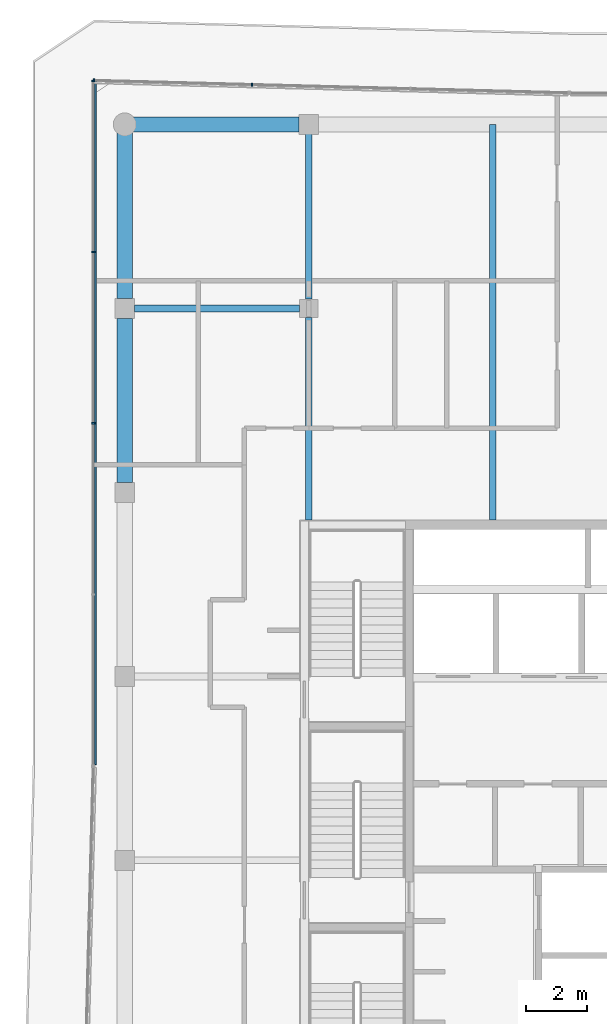
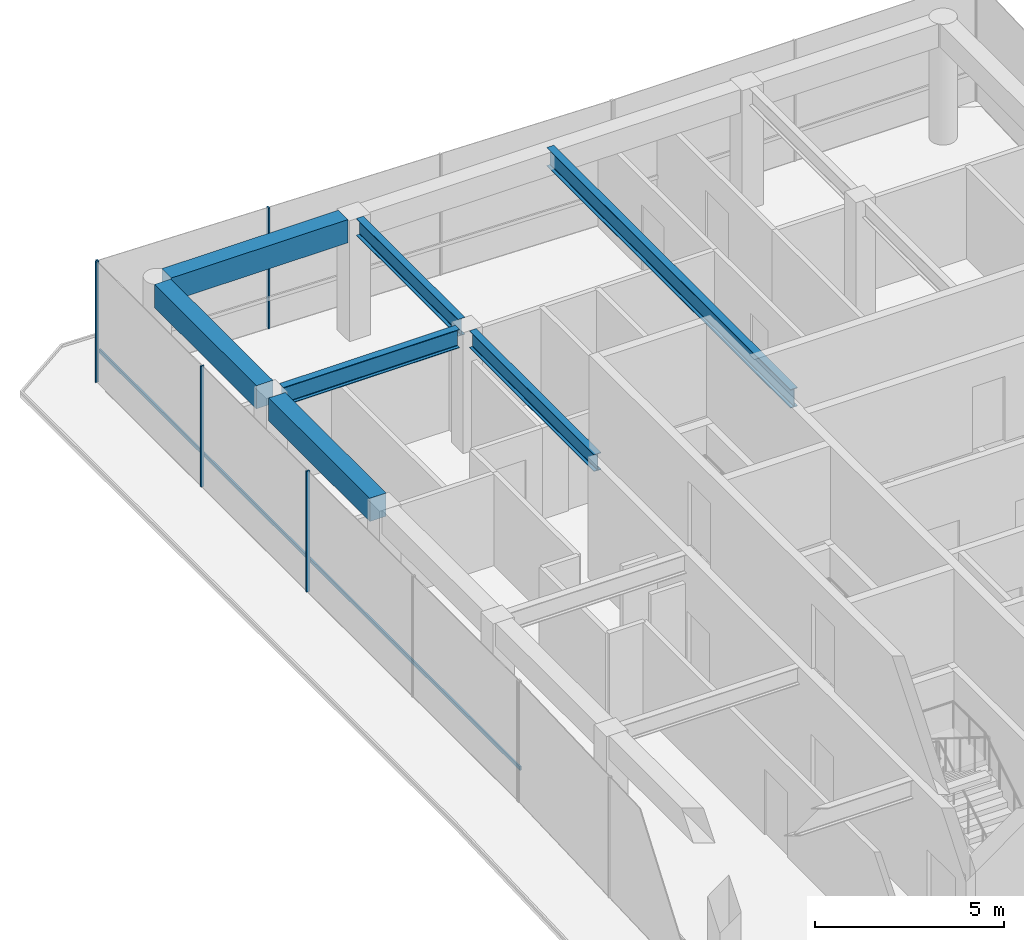
# One storey, part 7 of 15: 7 beams, 6 members, 2 elements without a shape of their own.
"""IFC4 building model written with IfcOpenShell, lengths in metres."""

from ifc_helpers import new_model, si_unit, direction, frame, origin, origin_2d, place, context, subcontext, project, spatial, rectangle, i_section, extrude, material, layer, layer_set, material_profile, profile_set, type_object, element, aggregate, save


model = new_model("IFC4")

# Units and contexts
model_context = context("Model", 3, precision=1e-05, world=origin(), true_north=direction((0.0, 1.0)))
body_context = subcontext(model_context, "Body", "Model", "MODEL_VIEW")
ifc_project = project(units=[si_unit("LENGTHUNIT", "METRE"), si_unit("AREAUNIT", "SQUARE_METRE"), si_unit("VOLUMEUNIT", "CUBIC_METRE"), si_unit("PLANEANGLEUNIT", "RADIAN"), si_unit("MASSUNIT", "GRAM", prefix="KILO")], contexts=[model_context])

# Site, building, storey
site_placement = place(None, origin())
site = spatial("IfcSite", under=ifc_project, at=site_placement, CompositionType="ELEMENT")
building_placement = place(site_placement, origin())
building = spatial("IfcBuilding", under=site, at=building_placement, Name="Welwitschia Terrace Campus", CompositionType="ELEMENT")
storey_placement = place(building_placement, frame((0.0, 0.0, 339.800048828125)))
storey = spatial("IfcBuildingStorey", under=building, at=storey_placement, Name="L76", CompositionType="ELEMENT", Elevation=339.800048828125)

# Beams
ifc_material_1 = material(Name="Steel S355", Category="steel")
ifc_material_profile_1 = material_profile(ifc_material_1, i_section(OverallWidth=0.2099609375, OverallDepth=0.550048828125, WebThickness=0.010986328125, FlangeThickness=0.01708984375, FilletRadius=0.02392578125, at=origin_2d()))
ifc_profile_set_1 = profile_set([ifc_material_profile_1], Name="Steel S355")
beam_type_1 = type_object("IfcBeamType", Name="Interior girder IPE 550", PredefinedType="BEAM", material=ifc_profile_set_1)
beam_1_placement = place(storey_placement, frame((6.0, 25.10107421875, 3.625), z_axis=(0.0, 1.0, 0.0), x_axis=(-1.0, 0.0, 0.0)))
element("IfcBeam", 1, at=beam_1_placement, inside=storey, type_object=beam_type_1, Name="Girder GB7", PredefinedType="BEAM", context=body_context, shape_type="SweptSolid", body=[
    extrude(i_section(OverallWidth=0.2099609375, OverallDepth=0.550048828125, WebThickness=0.010986328125, FlangeThickness=0.01708984375, FilletRadius=0.02392578125, at=origin_2d()), origin(), (0.0, 0.0, 1.0), 6.598388671875),
])
beam_2_placement = place(storey_placement, frame((6.0, 32.300537109375, 3.625), z_axis=(0.0, 1.0, 0.0), x_axis=(-1.0, 0.0, 0.0)))
element("IfcBeam", 2, at=beam_2_placement, inside=storey, type_object=beam_type_1, Name="Girder GB7", PredefinedType="BEAM", context=body_context, shape_type="SweptSolid", body=[
    extrude(i_section(OverallWidth=0.2099609375, OverallDepth=0.550048828125, WebThickness=0.010986328125, FlangeThickness=0.01708984375, FilletRadius=0.02392578125, at=origin_2d()), origin(), (0.0, 0.0, 1.0), 5.384033203125),
])

# Curtain wall, members
ifc_material_2 = material(Name="Bronze anodised aluminium", Category="aluminium")
ifc_layer = layer(ifc_material_2, 0.10009765625)
ifc_layer_set = layer_set([ifc_layer], Name="Bronze anodised aluminium")
curtain_wall_type = type_object("IfcCurtainWallType", Name="Curtain wall CW5 crown 6000", PredefinedType="NOTDEFINED", material=ifc_layer_set)
curtain_wall_1_placement = place(storey_placement, origin())
curtain_wall_1 = element("IfcCurtainWall", 3, at=curtain_wall_1_placement, inside=storey, type_object=curtain_wall_type, Name="CW L76.9.0", PredefinedType="NOTDEFINED")
ifc_material_3 = material(Name="Bronze anodised aluminium", Category="aluminium")
ifc_material_profile_2 = material_profile(ifc_material_3, rectangle(XDim=0.10009765625, YDim=0.050048828125, at=origin_2d()))
ifc_profile_set_2 = profile_set([ifc_material_profile_2], Name="Bronze anodised aluminium")
member_type_1 = type_object("IfcMemberType", Name="Mullion 50x100", PredefinedType="MULLION", material=ifc_profile_set_2)
member_1_placement = place(storey_placement, frame((4.143310546875, 39.301025390625, 0.0), z_axis=(0.0, 0.0, 1.0), x_axis=(-0.026176948308, -0.999657324976, 0.0)))
member_1 = element("IfcMember", 4, at=member_1_placement, type_object=member_type_1, Name="Mullion L76.9.0.2", PredefinedType="MULLION", context=body_context, shape_type="SweptSolid", body=[
    extrude(rectangle(XDim=0.10009765625, YDim=0.050048828125, at=origin_2d()), origin(), (0.0, 0.0, 1.0), 3.89990234375),
])
member_2_placement = place(storey_placement, frame((-1.005126953125, 39.435791015625, 0.0), z_axis=(0.0, 0.0, 1.0), x_axis=(-0.026176948308, -0.999657324976, 0.0)))
member_2 = element("IfcMember", 5, at=member_2_placement, type_object=member_type_1, Name="Mullion L76.9.0.3", PredefinedType="MULLION", context=body_context, shape_type="SweptSolid", body=[
    extrude(rectangle(XDim=0.10009765625, YDim=0.050048828125, at=origin_2d()), origin(), (0.0, 0.0, 1.0), 3.89990234375),
])
aggregate(curtain_wall_1, [member_1, member_2])

curtain_wall_2_placement = place(storey_placement, origin())
curtain_wall_2 = element("IfcCurtainWall", 6, at=curtain_wall_2_placement, inside=storey, type_object=curtain_wall_type, Name="CW L76.10.0", PredefinedType="NOTDEFINED")
member_3_placement = place(storey_placement, frame((-1.030029296875, 39.411376953125, 0.0), z_axis=(0.0, 0.0, 1.0), x_axis=(1.0, 0.0, 0.0)))
member_3 = element("IfcMember", 7, at=member_3_placement, type_object=member_type_1, Name="Mullion L76.10.0.0", PredefinedType="MULLION", context=body_context, shape_type="SweptSolid", body=[
    extrude(rectangle(XDim=0.10009765625, YDim=0.050048828125, at=origin_2d()), origin(), (0.0, 0.0, 1.0), 3.89990234375),
])
member_4_placement = place(storey_placement, frame((-1.030029296875, 33.846435546875, 0.0), z_axis=(0.0, 0.0, 1.0), x_axis=(1.0, 0.0, 0.0)))
member_4 = element("IfcMember", 8, at=member_4_placement, type_object=member_type_1, Name="Mullion L76.10.0.1", PredefinedType="MULLION", context=body_context, shape_type="SweptSolid", body=[
    extrude(rectangle(XDim=0.10009765625, YDim=0.050048828125, at=origin_2d()), origin(), (0.0, 0.0, 1.0), 3.89990234375),
])
member_5_placement = place(storey_placement, frame((-1.030029296875, 28.25634765625, 0.0), z_axis=(0.0, 0.0, 1.0), x_axis=(1.0, 0.0, 0.0)))
member_5 = element("IfcMember", 9, at=member_5_placement, type_object=member_type_1, Name="Mullion L76.10.0.2", PredefinedType="MULLION", context=body_context, shape_type="SweptSolid", body=[
    extrude(rectangle(XDim=0.10009765625, YDim=0.050048828125, at=origin_2d()), origin(), (0.0, 0.0, 1.0), 3.89990234375),
])

# Beams
ifc_material_4 = material(Name="Steel S355", Category="steel")
ifc_material_profile_3 = material_profile(ifc_material_4, i_section(OverallWidth=0.219970703125, OverallDepth=0.60009765625, WebThickness=0.011962890625, FlangeThickness=0.01904296875, FilletRadius=0.02392578125, at=origin_2d()))
ifc_profile_set_3 = profile_set([ifc_material_profile_3], Name="Steel S355")
beam_type_2 = type_object("IfcBeamType", Name="Primary beam IPE 600", PredefinedType="BEAM", material=ifc_profile_set_3)
beam_3_placement = place(storey_placement, frame((12.0, 38.0, 3.599853515625), z_axis=(0.0, -1.0, 0.0), x_axis=(1.0, 0.0, 0.0)))
element("IfcBeam", 10, at=beam_3_placement, inside=storey, type_object=beam_type_2, Name="Primary beam PB7", PredefinedType="BEAM", context=body_context, shape_type="SweptSolid", body=[
    extrude(i_section(OverallWidth=0.219970703125, OverallDepth=0.60009765625, WebThickness=0.011962890625, FlangeThickness=0.01904296875, FilletRadius=0.02392578125, at=origin_2d()), origin(), (0.0, 0.0, 1.0), 12.89990234375),
])
beam_4_placement = place(storey_placement, frame((0.325439453125, 32.0, 3.599853515625), z_axis=(1.0, 0.0, 0.0), x_axis=(0.0, 1.0, 0.0)))
element("IfcBeam", 11, at=beam_4_placement, inside=storey, type_object=beam_type_2, Name="Primary beam PB7", PredefinedType="BEAM", context=body_context, shape_type="SweptSolid", body=[
    extrude(i_section(OverallWidth=0.219970703125, OverallDepth=0.60009765625, WebThickness=0.011962890625, FlangeThickness=0.01904296875, FilletRadius=0.02392578125, at=origin_2d()), origin(), (0.0, 0.0, 1.0), 5.3740234375),
])
ifc_material_5 = material(Name="Concrete C40/50", Category="concrete")
ifc_material_profile_4 = material_profile(ifc_material_5, rectangle(XDim=0.5, YDim=0.75, at=origin_2d()))
ifc_profile_set_4 = profile_set([ifc_material_profile_4], Name="Concrete C40/50")
beam_type_3 = type_object("IfcBeamType", Name="Ring spandrel 500x750", PredefinedType="SPANDREL", material=ifc_profile_set_4)
for number, where, z_axis, x_axis, name in (
    (12, (5.674560546875, 38.0, 3.52490234375), (-1.0, 0.0, 0.0), (0.0, -1.0, 0.0), "Spandrel SP5"),
    (13, (0.0, 37.719482421875, 3.52490234375), (0.0, -1.0, 0.0), (1.0, 0.0, 0.0), "Spandrel SP5"),
):
    element("IfcBeam", number, at=place(storey_placement, frame(where, z_axis=z_axis, x_axis=x_axis)), inside=storey, type_object=beam_type_3, Name=name, PredefinedType="SPANDREL", context=body_context, shape_type="SweptSolid", body=[
        extrude(rectangle(XDim=0.5, YDim=0.75, at=origin_2d()), origin(), (0.0, 0.0, 1.0), 5.39404296875),
    ])
beam_5_placement = place(storey_placement, frame((0.0, 31.674560546875, 3.52490234375), z_axis=(0.0, -1.0, 0.0), x_axis=(1.0, 0.0, 0.0)))
element("IfcBeam", 14, at=beam_5_placement, inside=storey, type_object=beam_type_3, Name="Spandrel SP5", PredefinedType="SPANDREL", context=body_context, shape_type="SweptSolid", body=[
    extrude(rectangle(XDim=0.5, YDim=0.75, at=origin_2d()), origin(), (0.0, 0.0, 1.0), 5.34912109375),
])

# Member
ifc_material_6 = material(Name="Bronze anodised aluminium", Category="aluminium")
ifc_material_profile_5 = material_profile(ifc_material_6, rectangle(XDim=0.050048828125, YDim=0.1201171875, at=origin_2d()))
ifc_profile_set_5 = profile_set([ifc_material_profile_5], Name="Bronze anodised aluminium")
member_type_2 = type_object("IfcMemberType", Name="Transom 50x120", PredefinedType="USERDEFINED", material=ifc_profile_set_5)
member_6_placement = place(storey_placement, frame((-0.955078125, 39.386474609375, 1.0), z_axis=(0.0, -1.0, 0.0), x_axis=(1.0, 0.0, 0.0)))
member_6 = element("IfcMember", 15, at=member_6_placement, type_object=member_type_2, Name="Transom L76.10.0", ObjectType="TRANSOM", PredefinedType="USERDEFINED", context=body_context, shape_type="SweptSolid", body=[
    extrude(rectangle(XDim=0.050048828125, YDim=0.1201171875, at=origin_2d()), origin(), (0.0, 0.0, 1.0), 22.260498046875),
])

aggregate(curtain_wall_2, [member_3, member_4, member_5, member_6])

save(model, "model.ifc")
